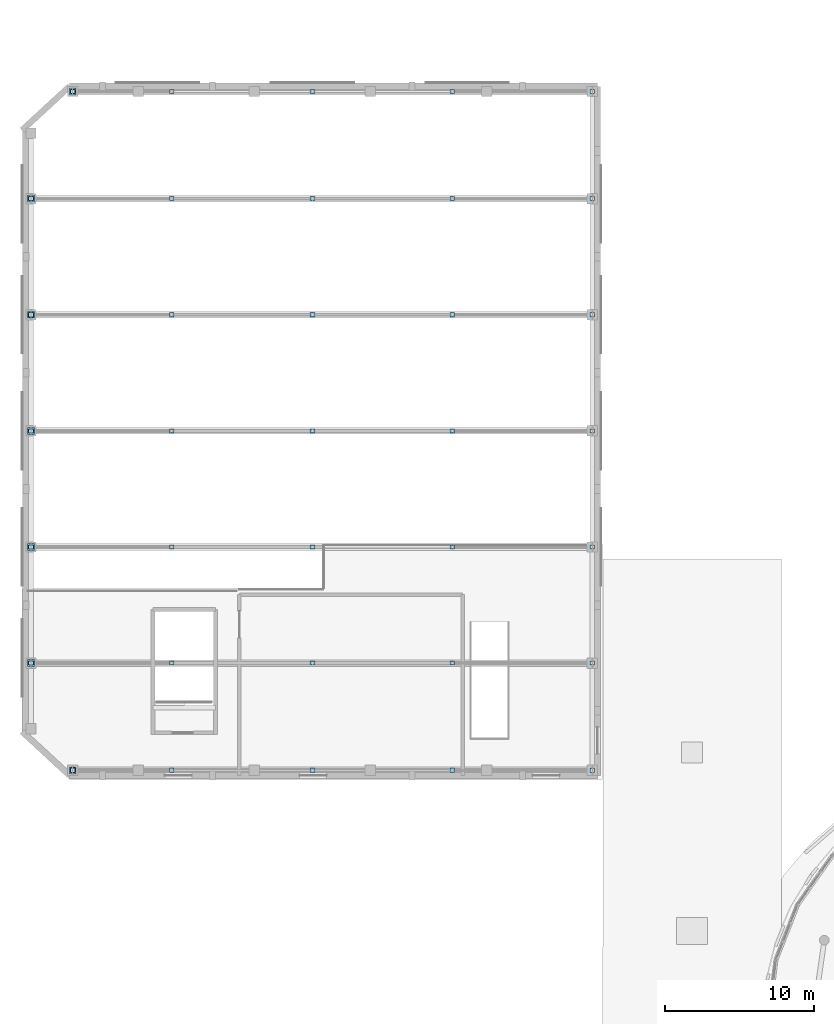
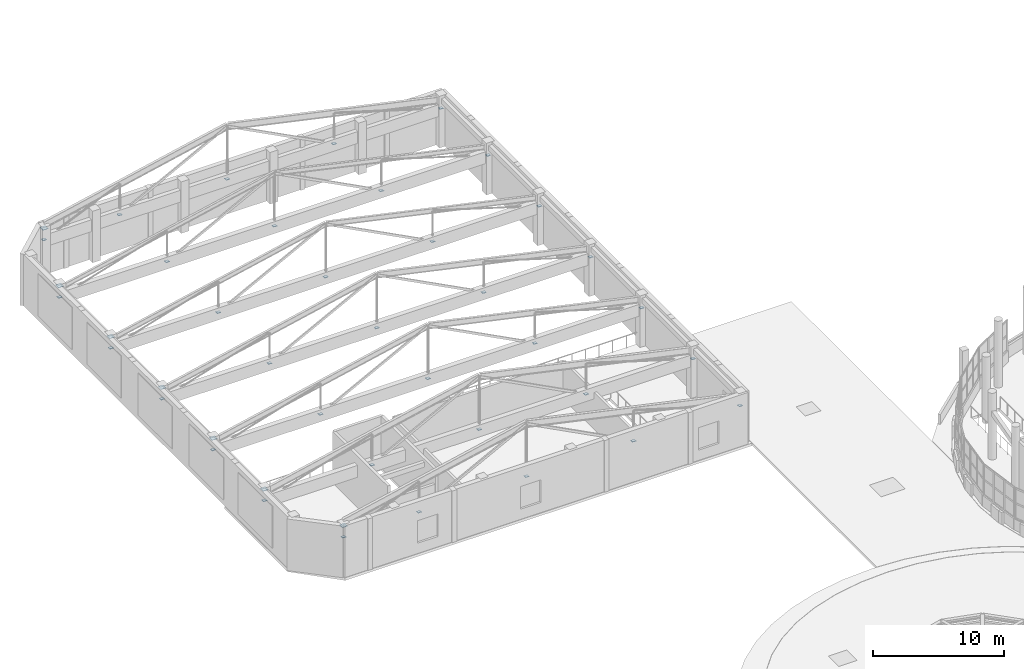
# One storey, part 85 of 105: 42 plates.
"""IFC4 building model written with IfcOpenShell, lengths in metres."""

from ifc_helpers import new_model, si_unit, direction, frame, origin, origin_2d, place, context, subcontext, project, spatial, rectangle, extrude, material, layer, layer_set, type_object, element, save


model = new_model("IFC4")

# Units and contexts
model_context = context("Model", 3, precision=1e-05, world=origin(), true_north=direction((0.0, 1.0)))
body_context = subcontext(model_context, "Body", "Model", "MODEL_VIEW")
ifc_project = project(units=[si_unit("LENGTHUNIT", "METRE"), si_unit("AREAUNIT", "SQUARE_METRE"), si_unit("VOLUMEUNIT", "CUBIC_METRE"), si_unit("PLANEANGLEUNIT", "RADIAN"), si_unit("MASSUNIT", "GRAM", prefix="KILO")], contexts=[model_context])

# Site, building, storey
site_placement = place(None, origin())
site = spatial("IfcSite", under=ifc_project, at=site_placement, CompositionType="ELEMENT")
building_placement = place(site_placement, origin())
building = spatial("IfcBuilding", under=site, at=building_placement, Name="Pelvatis Terrace Science Centre", CompositionType="ELEMENT")
storey_placement = place(building_placement, frame((0.0, 0.0, 10.199951171875)))
storey = spatial("IfcBuildingStorey", under=building, at=storey_placement, Name="L02", CompositionType="ELEMENT", Elevation=10.199951171875)

# Plates
ifc_material_1 = material(Name="Structural steel S355", Category="steel")
ifc_layer_1 = layer(ifc_material_1, 0.02587890625)
ifc_layer_set_1 = layer_set([ifc_layer_1], Name="Structural steel S355")
plate_type_1 = type_object("IfcPlateType", Name="PLT-CAP-460x460x26", PredefinedType="USERDEFINED", material=ifc_layer_set_1)
for number, where, z_axis, x_axis, name in (
    (1, (11.199951171875, 70.800048828125, 4.43701171875), (0.0, 0.0, 1.0), (1.0, 0.0, 0.0), "Theatre west bearing cap plate 1"),
    (2, (8.39990234375, 78.0, 4.43701171875), (0.0, 0.0, 1.0), (1.0, 0.0, 0.0), "Theatre west bearing cap plate 2"),
    (3, (8.39990234375, 85.800048828125, 4.43701171875), (0.0, 0.0, 1.0), (1.0, 0.0, 0.0), "Theatre west bearing cap plate 3"),
    (4, (8.39990234375, 93.60009765625, 4.43701171875), (0.0, 0.0, 1.0), (1.0, 0.0, 0.0), "Theatre west bearing cap plate 4"),
    (5, (8.39990234375, 101.39990234375, 4.43701171875), (0.0, 0.0, 1.0), (1.0, 0.0, 0.0), "Theatre west bearing cap plate 5"),
    (6, (8.39990234375, 109.199951171875, 4.43701171875), (0.0, 0.0, 1.0), (1.0, 0.0, 0.0), "Theatre west bearing cap plate 6"),
    (7, (11.199951171875, 116.39990234375, 4.43701171875), (0.0, 0.0, 1.0), (1.0, 0.0, 0.0), "Theatre west bearing cap plate 7"),
):
    element("IfcPlate", number, at=place(storey_placement, frame(where, z_axis=z_axis, x_axis=x_axis)), inside=storey, type_object=plate_type_1, Name=name, ObjectType="CAP PLATE", PredefinedType="USERDEFINED", context=body_context, shape_type="SweptSolid", body=[
        extrude(rectangle(XDim=0.4599609375, YDim=0.4599609375, at=origin_2d()), origin(), (0.0, 0.0, 1.0), 0.02587890625),
    ])
ifc_material_2 = material(Name="Structural steel S355", Category="steel")
ifc_layer_2 = layer(ifc_material_2, 0.01611328125)
ifc_layer_set_2 = layer_set([ifc_layer_2], Name="Structural steel S355")
plate_type_2 = type_object("IfcPlateType", Name="PLT-GUS-320x280x16", PredefinedType="USERDEFINED", material=ifc_layer_set_2)
for number, where, z_axis, x_axis, name in (
    (8, (27.300048828125, 70.800048828125, 3.39208984375), (0.0, 0.0, 1.0), (1.0, 0.0, 0.0), "Brace and strut end connection gusset plate 133"),
    (9, (17.85009765625, 70.800048828125, 3.39208984375), (0.0, 0.0, 1.0), (1.0, 0.0, 0.0), "Brace and strut end connection gusset plate 134"),
    (10, (36.699951171875, 70.800048828125, 3.39208984375), (0.0, 0.0, 1.0), (1.0, 0.0, 0.0), "Brace and strut end connection gusset plate 136"),
    (11, (11.199951171875, 70.800048828125, 3.39208984375), (0.0, 0.0, 1.0), (1.0, 0.0, 0.0), "Brace and strut end connection gusset plate 138"),
    (12, (46.10009765625, 70.800048828125, 3.39208984375), (0.0, 0.0, 1.0), (1.0, 0.0, 0.0), "Brace and strut end connection gusset plate 139"),
    (13, (27.300048828125, 78.0, 3.39208984375), (0.0, 0.0, 1.0), (1.0, 0.0, 0.0), "Brace and strut end connection gusset plate 140"),
    (14, (17.85009765625, 78.0, 3.39208984375), (0.0, 0.0, 1.0), (1.0, 0.0, 0.0), "Brace and strut end connection gusset plate 141"),
    (15, (36.699951171875, 78.0, 3.39208984375), (0.0, 0.0, 1.0), (1.0, 0.0, 0.0), "Brace and strut end connection gusset plate 143"),
    (16, (8.39990234375, 78.0, 3.39208984375), (0.0, 0.0, 1.0), (1.0, 0.0, 0.0), "Brace and strut end connection gusset plate 145"),
    (17, (46.10009765625, 78.0, 3.39208984375), (0.0, 0.0, 1.0), (1.0, 0.0, 0.0), "Brace and strut end connection gusset plate 146"),
    (18, (27.300048828125, 85.800048828125, 3.39208984375), (0.0, 0.0, 1.0), (1.0, 0.0, 0.0), "Brace and strut end connection gusset plate 147"),
    (19, (17.85009765625, 85.800048828125, 3.39208984375), (0.0, 0.0, 1.0), (1.0, 0.0, 0.0), "Brace and strut end connection gusset plate 148"),
    (20, (36.699951171875, 85.800048828125, 3.39208984375), (0.0, 0.0, 1.0), (1.0, 0.0, 0.0), "Brace and strut end connection gusset plate 150"),
    (21, (8.39990234375, 85.800048828125, 3.39208984375), (0.0, 0.0, 1.0), (1.0, 0.0, 0.0), "Brace and strut end connection gusset plate 152"),
    (22, (46.10009765625, 85.800048828125, 3.39208984375), (0.0, 0.0, 1.0), (1.0, 0.0, 0.0), "Brace and strut end connection gusset plate 153"),
    (23, (27.300048828125, 93.60009765625, 3.39208984375), (0.0, 0.0, 1.0), (1.0, 0.0, 0.0), "Brace and strut end connection gusset plate 154"),
    (24, (17.85009765625, 93.60009765625, 3.39208984375), (0.0, 0.0, 1.0), (1.0, 0.0, 0.0), "Brace and strut end connection gusset plate 155"),
    (25, (36.699951171875, 93.60009765625, 3.39208984375), (0.0, 0.0, 1.0), (1.0, 0.0, 0.0), "Brace and strut end connection gusset plate 157"),
    (26, (8.39990234375, 93.60009765625, 3.39208984375), (0.0, 0.0, 1.0), (1.0, 0.0, 0.0), "Brace and strut end connection gusset plate 159"),
    (27, (46.10009765625, 93.60009765625, 3.39208984375), (0.0, 0.0, 1.0), (1.0, 0.0, 0.0), "Brace and strut end connection gusset plate 160"),
    (28, (27.300048828125, 101.39990234375, 3.39208984375), (0.0, 0.0, 1.0), (1.0, 0.0, 0.0), "Brace and strut end connection gusset plate 161"),
    (29, (17.85009765625, 101.39990234375, 3.39208984375), (0.0, 0.0, 1.0), (1.0, 0.0, 0.0), "Brace and strut end connection gusset plate 162"),
    (30, (36.699951171875, 101.39990234375, 3.39208984375), (0.0, 0.0, 1.0), (1.0, 0.0, 0.0), "Brace and strut end connection gusset plate 164"),
    (31, (8.39990234375, 101.39990234375, 3.39208984375), (0.0, 0.0, 1.0), (1.0, 0.0, 0.0), "Brace and strut end connection gusset plate 166"),
    (32, (46.10009765625, 101.39990234375, 3.39208984375), (0.0, 0.0, 1.0), (1.0, 0.0, 0.0), "Brace and strut end connection gusset plate 167"),
    (33, (27.300048828125, 109.199951171875, 3.39208984375), (0.0, 0.0, 1.0), (1.0, 0.0, 0.0), "Brace and strut end connection gusset plate 168"),
    (34, (17.85009765625, 109.199951171875, 3.39208984375), (0.0, 0.0, 1.0), (1.0, 0.0, 0.0), "Brace and strut end connection gusset plate 169"),
    (35, (36.699951171875, 109.199951171875, 3.39208984375), (0.0, 0.0, 1.0), (1.0, 0.0, 0.0), "Brace and strut end connection gusset plate 171"),
    (36, (8.39990234375, 109.199951171875, 3.39208984375), (0.0, 0.0, 1.0), (1.0, 0.0, 0.0), "Brace and strut end connection gusset plate 173"),
    (37, (46.10009765625, 109.199951171875, 3.39208984375), (0.0, 0.0, 1.0), (1.0, 0.0, 0.0), "Brace and strut end connection gusset plate 174"),
    (38, (27.300048828125, 116.39990234375, 3.39208984375), (0.0, 0.0, 1.0), (1.0, 0.0, 0.0), "Brace and strut end connection gusset plate 175"),
    (39, (17.85009765625, 116.39990234375, 3.39208984375), (0.0, 0.0, 1.0), (1.0, 0.0, 0.0), "Brace and strut end connection gusset plate 176"),
    (40, (36.699951171875, 116.39990234375, 3.39208984375), (0.0, 0.0, 1.0), (1.0, 0.0, 0.0), "Brace and strut end connection gusset plate 178"),
    (41, (11.199951171875, 116.39990234375, 3.39208984375), (0.0, 0.0, 1.0), (1.0, 0.0, 0.0), "Brace and strut end connection gusset plate 180"),
    (42, (46.10009765625, 116.39990234375, 3.39208984375), (0.0, 0.0, 1.0), (1.0, 0.0, 0.0), "Brace and strut end connection gusset plate 181"),
):
    element("IfcPlate", number, at=place(storey_placement, frame(where, z_axis=z_axis, x_axis=x_axis)), inside=storey, type_object=plate_type_2, Name=name, ObjectType="GUSSET", PredefinedType="USERDEFINED", context=body_context, shape_type="SweptSolid", body=[
        extrude(rectangle(XDim=0.320068359375, YDim=0.280029296875, at=origin_2d()), origin(), (0.0, 0.0, 1.0), 0.01611328125),
    ])

save(model, "model.ifc")
